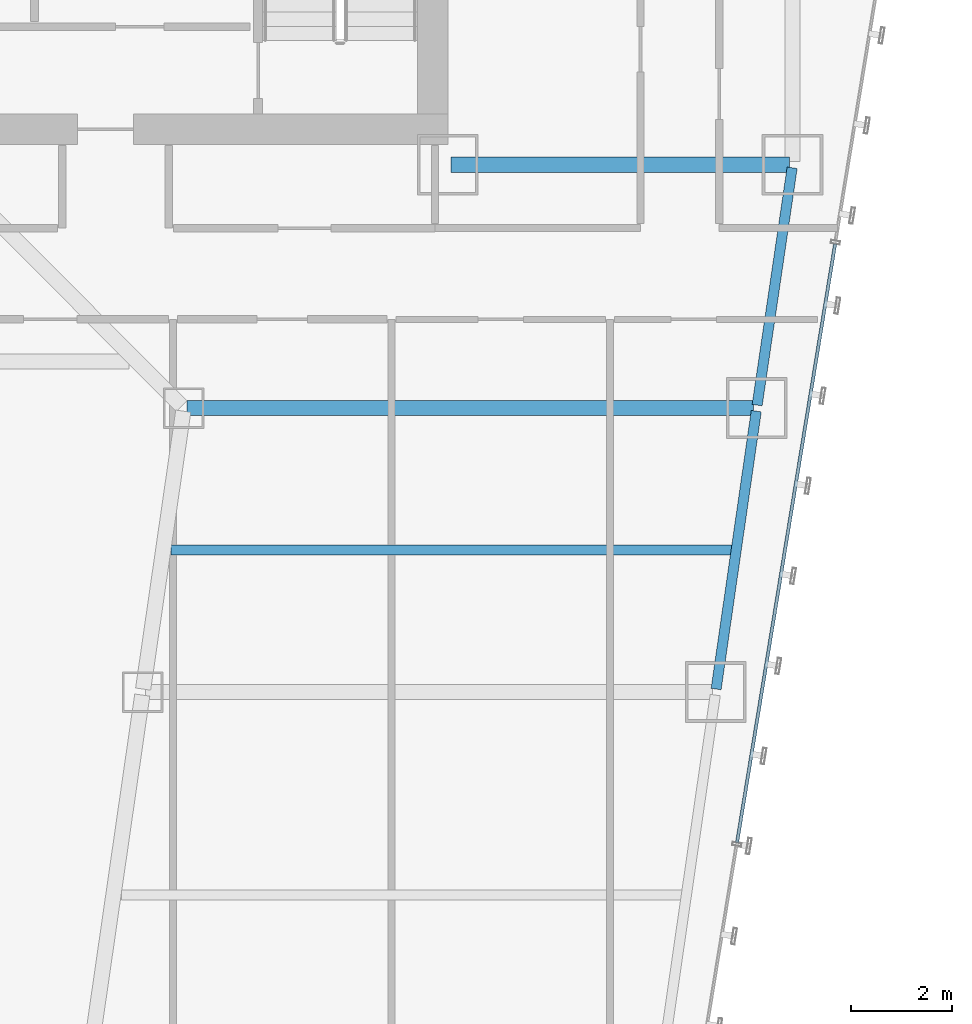
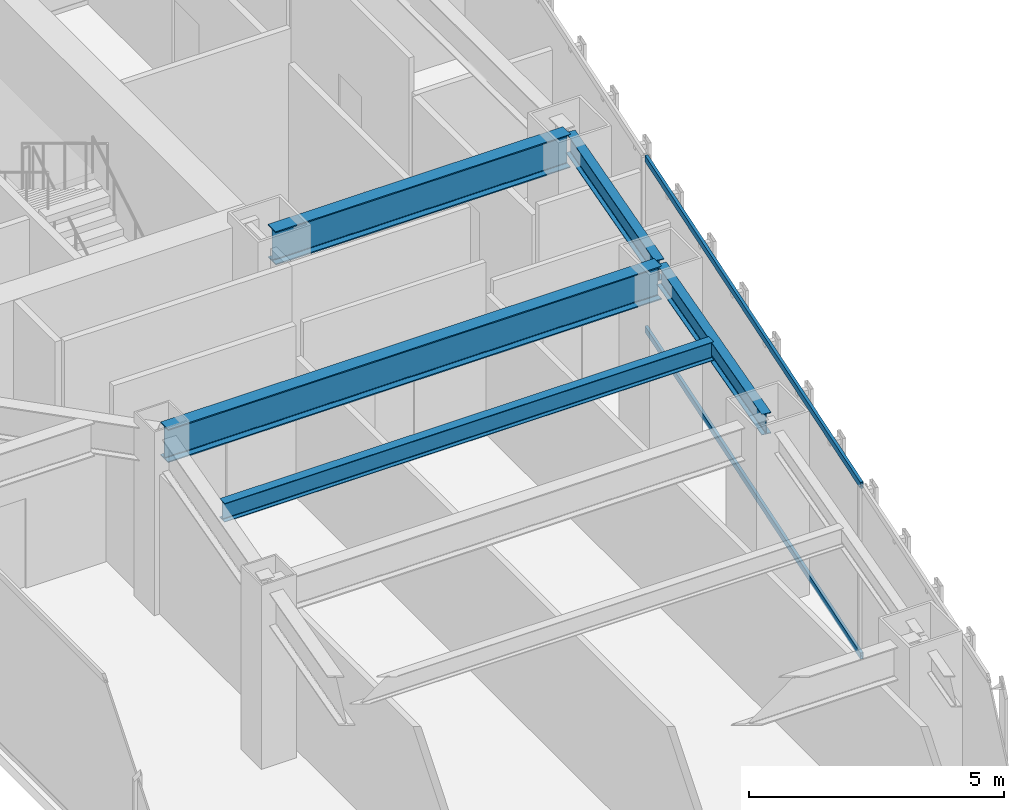
# One storey, part 30 of 47: 5 beams, 2 members, 1 element without a shape of its own.
"""IFC4 building model written with IfcOpenShell, lengths in metres."""

from ifc_helpers import new_model, si_unit, direction, frame, origin, origin_2d, place, context, subcontext, project, spatial, hollow_rectangle, i_section, extrude, material, material_profile, profile_set, type_object, element, aggregate, save


model = new_model("IFC4")

# Units and contexts
model_context = context("Model", 3, precision=1e-05, world=origin(), true_north=direction((0.0, 1.0)))
body_context = subcontext(model_context, "Body", "Model", "MODEL_VIEW")
ifc_project = project(units=[si_unit("LENGTHUNIT", "METRE"), si_unit("AREAUNIT", "SQUARE_METRE"), si_unit("VOLUMEUNIT", "CUBIC_METRE"), si_unit("PLANEANGLEUNIT", "RADIAN"), si_unit("MASSUNIT", "GRAM", prefix="KILO")], contexts=[model_context])

# Site, building, storey
site_placement = place(None, origin())
site = spatial("IfcSite", under=ifc_project, at=site_placement, CompositionType="ELEMENT")
building_placement = place(site_placement, origin())
building = spatial("IfcBuilding", under=site, at=building_placement, Name="Saevonmaru Cultural Tower", CompositionType="ELEMENT")
storey_placement = place(building_placement, frame((0.0, 0.0, 56.0)))
storey = spatial("IfcBuildingStorey", under=building, at=storey_placement, Name="L11", CompositionType="ELEMENT", Elevation=56.0)

# Beams
ifc_material_1 = material(Name="Steel SM420", Category="steel")
ifc_material_profile_1 = material_profile(ifc_material_1, i_section(OverallWidth=0.300048828125, OverallDepth=0.800048828125, WebThickness=0.013916015625, FlangeThickness=0.02587890625, FilletRadius=0.028076171875, at=origin_2d()), Name="H-800x300x14x26")
ifc_profile_set_1 = profile_set([ifc_material_profile_1], Name="Steel SM420")
beam_type_1 = type_object("IfcBeamType", Name="BM-G-H800", PredefinedType="BEAM", material=ifc_profile_set_1)
beam_1_placement = place(storey_placement, frame((46.4599609375, 42.39990234375, 3.75), z_axis=(1.0, 0.0, 0.0), x_axis=(0.0, 1.0, 0.0)))
element("IfcBeam", 1, at=beam_1_placement, inside=storey, type_object=beam_type_1, Name="L11 Core South Girder 5", PredefinedType="BEAM", context=body_context, shape_type="SweptSolid", body=[
    extrude(i_section(OverallWidth=0.300048828125, OverallDepth=0.800048828125, WebThickness=0.013916015625, FlangeThickness=0.02587890625, FilletRadius=0.028076171875, at=origin_2d()), origin(), (0.0, 0.0, 1.0), 6.679931640625),
])
beam_2_placement = place(storey_placement, frame((41.251953125, 37.60009765625, 3.75), z_axis=(1.0, 0.0, 0.0), x_axis=(0.0, 1.0, 0.0)))
element("IfcBeam", 2, at=beam_2_placement, inside=storey, type_object=beam_type_1, Name="L11 East Wing Transverse Girder 6", PredefinedType="BEAM", context=body_context, shape_type="SweptSolid", body=[
    extrude(i_section(OverallWidth=0.300048828125, OverallDepth=0.800048828125, WebThickness=0.013916015625, FlangeThickness=0.02587890625, FilletRadius=0.028076171875, at=origin_2d()), origin(), (0.0, 0.0, 1.0), 11.179931640625),
])
ifc_material_2 = material(Name="Steel SM355", Category="steel")
ifc_material_profile_2 = material_profile(ifc_material_2, i_section(OverallWidth=0.199951171875, OverallDepth=0.449951171875, WebThickness=0.009033203125, FlangeThickness=0.013916015625, FilletRadius=0.01806640625, at=origin_2d()), Name="H-450x200x9x14")
ifc_profile_set_2 = profile_set([ifc_material_profile_2], Name="Steel SM355")
beam_type_2 = type_object("IfcBeamType", Name="BM-J-H450", PredefinedType="JOIST", material=ifc_profile_set_2)
beam_3_placement = place(storey_placement, frame((40.945556640625, 34.800048828125, 3.925048828125), z_axis=(1.0, 0.0, 0.0), x_axis=(0.0, 1.0, 0.0)))
element("IfcBeam", 3, at=beam_3_placement, inside=storey, type_object=beam_type_2, Name="L11 East Wing Floor Joist 5", PredefinedType="JOIST", context=body_context, shape_type="SweptSolid", body=[
    extrude(i_section(OverallWidth=0.199951171875, OverallDepth=0.449951171875, WebThickness=0.009033203125, FlangeThickness=0.013916015625, FilletRadius=0.01806640625, at=origin_2d()), origin(), (0.0, 0.0, 1.0), 11.08203125),
])
ifc_material_profile_3 = material_profile(ifc_material_2, i_section(OverallWidth=0.199951171875, OverallDepth=0.5, WebThickness=0.010009765625, FlangeThickness=0.01611328125, FilletRadius=0.02001953125, at=origin_2d()), Name="H-500x200x10x16")
ifc_profile_set_3 = profile_set([ifc_material_profile_3], Name="Steel SM355")
beam_type_3 = type_object("IfcBeamType", Name="BM-SP-H500", PredefinedType="SPANDREL", material=ifc_profile_set_3)
beam_4_placement = place(storey_placement, frame((51.691650390625, 32.059326171875, 3.89990234375), z_axis=(0.142964121327, 0.989727871697, 0.0), x_axis=(-0.989727871697, 0.142964121327, 0.0)))
element("IfcBeam", 4, at=beam_4_placement, inside=storey, type_object=beam_type_3, Name="L11 East Splayed Spandrel 5", PredefinedType="SPANDREL", context=body_context, shape_type="SweptSolid", body=[
    extrude(i_section(OverallWidth=0.199951171875, OverallDepth=0.5, WebThickness=0.010009765625, FlangeThickness=0.01611328125, FilletRadius=0.02001953125, at=origin_2d()), origin(), (0.0, 0.0, 1.0), 5.5380859375),
])
beam_5_placement = place(storey_placement, frame((52.500732421875, 37.659423828125, 3.89990234375), z_axis=(0.145912860028, 0.989297446312, 0.0), x_axis=(-0.989297446312, 0.145912860028, 0.0)))
element("IfcBeam", 5, at=beam_5_placement, inside=storey, type_object=beam_type_3, Name="L11 East Splayed Spandrel 6", PredefinedType="SPANDREL", context=body_context, shape_type="SweptSolid", body=[
    extrude(i_section(OverallWidth=0.199951171875, OverallDepth=0.5, WebThickness=0.010009765625, FlangeThickness=0.01611328125, FilletRadius=0.02001953125, at=origin_2d()), origin(), (0.0, 0.0, 1.0), 4.731689453125),
])

# Curtain wall, members
ifc_material_3 = material(Name="Satin Bronze Anodised Aluminium", Category="aluminium")
curtain_wall_type = type_object("IfcCurtainWallType", Name="CW-TYP-A", PredefinedType="NOTDEFINED", material=ifc_material_3)
curtain_wall_placement = place(storey_placement, origin())
curtain_wall = element("IfcCurtainWall", 6, at=curtain_wall_placement, inside=storey, type_object=curtain_wall_type, Name="L11 Unitised Curtain Wall E8", PredefinedType="NOTDEFINED")
ifc_material_profile_4 = material_profile(ifc_material_3, hollow_rectangle(XDim=0.06494140625, YDim=0.14990234375, WallThickness=0.00390625, at=origin_2d()), Name="ALU-TRAN-150x65x4")
ifc_profile_set_4 = profile_set([ifc_material_profile_4], Name="Satin Bronze Anodised Aluminium")
member_type = type_object("IfcMemberType", Name="TR-CW-150x65", PredefinedType="USERDEFINED", material=ifc_profile_set_4)
member_1_placement = place(storey_placement, frame((52.105224609375, 29.031982421875, 0.032470703125), z_axis=(0.161701400727, 0.986839732177, 0.0), x_axis=(-0.986839732177, 0.161701400727, 0.0)))
member_1 = element("IfcMember", 7, at=member_1_placement, type_object=member_type, Name="CW-TW-L11-E8 transom 3.1", ObjectType="TRANSOM", PredefinedType="USERDEFINED", context=body_context, shape_type="SweptSolid", body=[
    extrude(hollow_rectangle(XDim=0.06494140625, YDim=0.14990234375, WallThickness=0.00390625, at=origin_2d()), origin(), (0.0, 0.0, 1.0), 11.9638671875),
])
member_2_placement = place(storey_placement, frame((52.105224609375, 29.031982421875, 4.117431640625), z_axis=(0.161701400727, 0.986839732177, 0.0), x_axis=(-0.986839732177, 0.161701400727, 0.0)))
member_2 = element("IfcMember", 8, at=member_2_placement, type_object=member_type, Name="CW-TW-L11-E8 transom 3.2", ObjectType="TRANSOM", PredefinedType="USERDEFINED", context=body_context, shape_type="SweptSolid", body=[
    extrude(hollow_rectangle(XDim=0.06494140625, YDim=0.14990234375, WallThickness=0.00390625, at=origin_2d()), origin(), (0.0, 0.0, 1.0), 11.9638671875),
])
aggregate(curtain_wall, [member_1, member_2])

save(model, "model.ifc")
